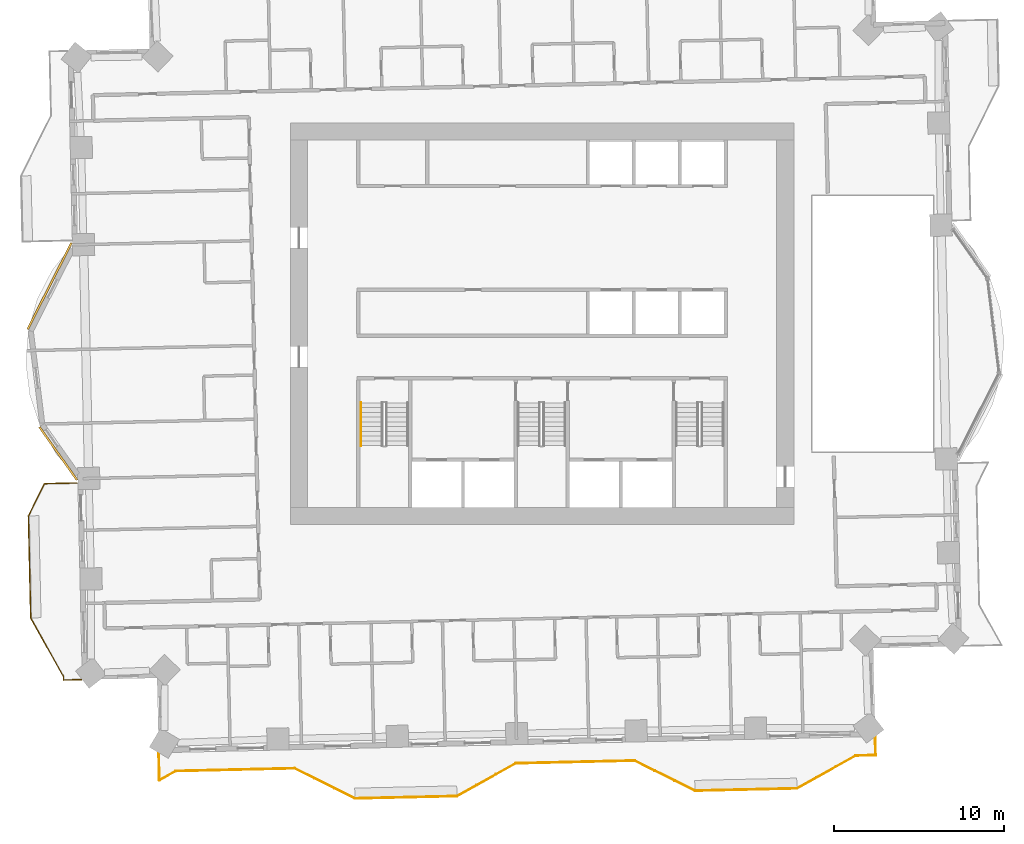
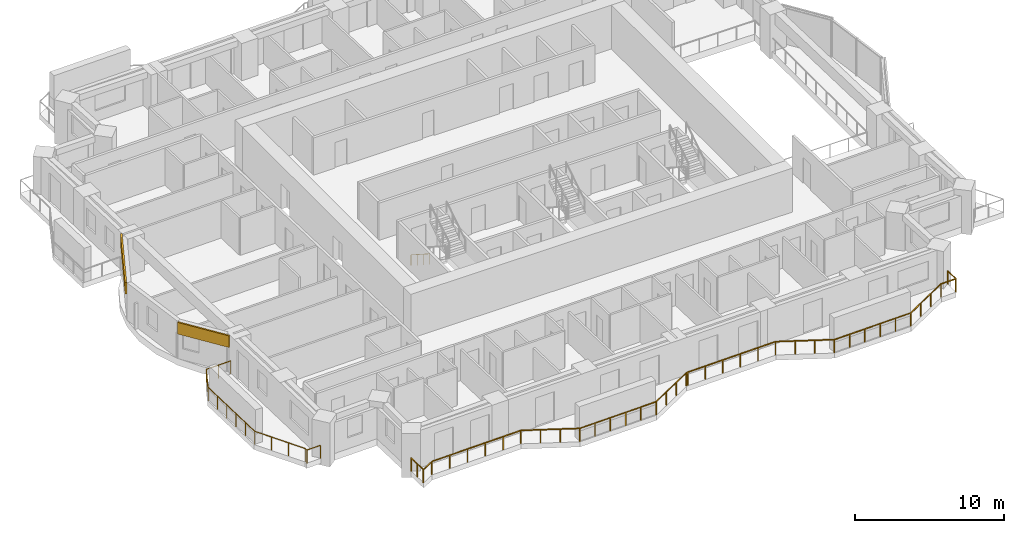
# One storey, part 13 of 16: 3 railings, 2 coverings.
"""IFC4 building model written with IfcOpenShell, lengths in metres."""

from ifc_helpers import new_model, si_unit, direction, frame, frame_2d, origin, origin_2d, place, context, subcontext, project, spatial, rectangle, circle, extrude, material, layer, layer_set, type_object, element, save


model = new_model("IFC4")

# Units and contexts
model_context = context("Model", 3, precision=1e-05, world=origin(), true_north=direction((0.0, 1.0)))
body_context = subcontext(model_context, "Body", "Model", "MODEL_VIEW")
ifc_project = project(units=[si_unit("LENGTHUNIT", "METRE"), si_unit("AREAUNIT", "SQUARE_METRE"), si_unit("VOLUMEUNIT", "CUBIC_METRE"), si_unit("PLANEANGLEUNIT", "RADIAN"), si_unit("MASSUNIT", "GRAM", prefix="KILO")], contexts=[model_context])

# Site, building, storey
site_placement = place(None, origin())
site = spatial("IfcSite", under=ifc_project, at=site_placement, CompositionType="ELEMENT")
building_placement = place(site_placement, origin())
building = spatial("IfcBuilding", under=site, at=building_placement, Name="Mangrove Gate Tower", CompositionType="ELEMENT")
storey_placement = place(building_placement, frame((0.0, 0.0, 137.300048828125)))
storey = spatial("IfcBuildingStorey", under=building, at=storey_placement, Name="L34", CompositionType="ELEMENT", Elevation=137.300048828125)

# Railings
ifc_material_1 = material(Name="Stainless steel grade 316 with laminated glass infill", Category="steel")
railing_type_1 = type_object("IfcRailingType", Name="Balcony guard 1100", PredefinedType="GUARDRAIL", material=ifc_material_1)
railing_1_placement = place(storey_placement, frame((-27.343994140625, -9.361083984375, 0.0)))
element("IfcRailing", 1, at=railing_1_placement, inside=storey, type_object=railing_type_1, Name="GUARD L34 W2", PredefinedType="GUARDRAIL", context=body_context, shape_type="SweptSolid", body=[
    extrude(rectangle(XDim=0.048095703125, YDim=0.048095703125, at=origin_2d()), frame((0.0, 0.0, 1.076171875), z_axis=(-0.999737613728, -0.02290641172, 0.0), x_axis=(0.02290641172, -0.999737613728, 0.0)), (0.0, 0.0, 1.0), 1.91845703125),
    extrude(rectangle(XDim=0.048095703125, YDim=0.048095703125, at=origin_2d()), frame((-1.91796875, -0.0439453125, 1.076171875), z_axis=(-0.4472135955, -0.894427191, 0.0), x_axis=(0.894427191, -0.4472135955, 0.0)), (0.0, 0.0, 1.0), 2.119873046875),
    extrude(rectangle(XDim=0.048095703125, YDim=0.048095703125, at=origin_2d()), frame((-2.865966796875, -1.93994140625, 1.076171875), z_axis=(0.022662255828, -0.999743178102, 0.0), x_axis=(0.999743178102, 0.022662255828, 0.0)), (0.0, 0.0, 1.0), 6.00048828125),
    extrude(rectangle(XDim=0.048095703125, YDim=0.048095703125, at=origin_2d()), frame((-2.72998046875, -7.93896484375, 1.076171875), z_axis=(0.48726008209, -0.87325689943, 0.0), x_axis=(0.87325689943, 0.48726008209, 0.0)), (0.0, 0.0, 1.0), 3.958740234375),
    extrude(rectangle(XDim=0.048095703125, YDim=0.048095703125, at=origin_2d()), frame((-0.801025390625, -11.39599609375, 1.076171875), z_axis=(0.019532292583, -0.999809226576, 0.0), x_axis=(0.999809226576, 0.019532292583, 0.0)), (0.0, 0.0, 1.0), 0.199951171875),
    extrude(rectangle(XDim=0.048095703125, YDim=0.048095703125, at=origin_2d()), frame((-0.797119140625, -11.595947265625, 1.076171875), z_axis=(0.999745389313, 0.022564497502, 0.0), x_axis=(-0.022564497502, 0.999745389313, 0.0)), (0.0, 0.0, 1.0), 1.060302734375),
    extrude(rectangle(XDim=0.0419921875, YDim=0.0419921875, at=origin_2d()), origin(), (0.0, 0.0, 1.0), 1.052001953125),
    extrude(rectangle(XDim=0.0419921875, YDim=0.0419921875, at=origin_2d()), frame((-0.958984375, -0.02197265625, 0.0)), (0.0, 0.0, 1.0), 1.052001953125),
    extrude(rectangle(XDim=0.0419921875, YDim=0.0419921875, at=origin_2d()), frame((-1.91796875, -0.0439453125, 0.0)), (0.0, 0.0, 1.0), 1.052001953125),
    extrude(rectangle(XDim=0.0419921875, YDim=0.0419921875, at=origin_2d()), frame((-2.39208984375, -0.991943359375, 0.0)), (0.0, 0.0, 1.0), 1.052001953125),
    extrude(rectangle(XDim=0.0419921875, YDim=0.0419921875, at=origin_2d()), frame((-2.865966796875, -1.93994140625, 0.0)), (0.0, 0.0, 1.0), 1.052001953125),
    extrude(rectangle(XDim=0.0419921875, YDim=0.0419921875, at=origin_2d()), frame((-2.8388671875, -3.1396484375, 0.0)), (0.0, 0.0, 1.0), 1.052001953125),
    extrude(rectangle(XDim=0.0419921875, YDim=0.0419921875, at=origin_2d()), frame((-2.8115234375, -4.339599609375, 0.0)), (0.0, 0.0, 1.0), 1.052001953125),
    extrude(rectangle(XDim=0.0419921875, YDim=0.0419921875, at=origin_2d()), frame((-2.784423828125, -5.539306640625, 0.0)), (0.0, 0.0, 1.0), 1.052001953125),
    extrude(rectangle(XDim=0.0419921875, YDim=0.0419921875, at=origin_2d()), frame((-2.757080078125, -6.7392578125, 0.0)), (0.0, 0.0, 1.0), 1.052001953125),
    extrude(rectangle(XDim=0.0419921875, YDim=0.0419921875, at=origin_2d()), frame((-2.72998046875, -7.93896484375, 0.0)), (0.0, 0.0, 1.0), 1.052001953125),
    extrude(rectangle(XDim=0.0419921875, YDim=0.0419921875, at=origin_2d()), frame((-2.0869140625, -9.09130859375, 0.0)), (0.0, 0.0, 1.0), 1.052001953125),
    extrude(rectangle(XDim=0.0419921875, YDim=0.0419921875, at=origin_2d()), frame((-1.444091796875, -10.24365234375, 0.0)), (0.0, 0.0, 1.0), 1.052001953125),
    extrude(rectangle(XDim=0.0419921875, YDim=0.0419921875, at=origin_2d()), frame((-0.801025390625, -11.39599609375, 0.0)), (0.0, 0.0, 1.0), 1.052001953125),
    extrude(rectangle(XDim=0.0419921875, YDim=0.0419921875, at=origin_2d()), frame((-0.797119140625, -11.595947265625, 0.0)), (0.0, 0.0, 1.0), 1.052001953125),
    extrude(rectangle(XDim=0.0419921875, YDim=0.0419921875, at=origin_2d()), frame((0.262939453125, -11.572021484375, 0.0)), (0.0, 0.0, 1.0), 1.052001953125),
])
railing_2_placement = place(storey_placement, frame((-22.541015625, -25.27099609375, 0.0)))
element("IfcRailing", 2, at=railing_2_placement, inside=storey, type_object=railing_type_1, Name="GUARD L34 S1", PredefinedType="GUARDRAIL", context=body_context, shape_type="SweptSolid", body=[
    extrude(rectangle(XDim=0.048095703125, YDim=0.048095703125, at=origin_2d()), frame((0.0, 0.0, 1.076171875), z_axis=(0.022175404941, -0.999754095473, 0.0), x_axis=(0.999754095473, 0.022175404941, 0.0)), (0.0, 0.0, 1.0), 1.574462890625),
    extrude(rectangle(XDim=0.048095703125, YDim=0.048095703125, at=origin_2d()), frame((0.034912109375, -1.573974609375, 1.076171875), z_axis=(0.873213082908, 0.487338600809, 0.0), x_axis=(-0.487338600809, 0.873213082908, 0.0)), (0.0, 0.0, 1.0), 1.099609375),
    extrude(rectangle(XDim=0.048095703125, YDim=0.048095703125, at=origin_2d()), frame((0.9951171875, -1.0380859375, 1.076171875), z_axis=(0.999741385179, 0.022741212823, 0.0), x_axis=(-0.022741212823, 0.999741385179, 0.0)), (0.0, 0.0, 1.0), 6.99951171875),
    extrude(rectangle(XDim=0.048095703125, YDim=0.048095703125, at=origin_2d()), frame((7.992919921875, -0.87890625, 1.076171875), z_axis=(0.894476522376, -0.447114919141, 0.0), x_axis=(0.447114919141, 0.894476522376, 0.0)), (0.0, 0.0, 1.0), 3.958740234375),
    extrude(rectangle(XDim=0.048095703125, YDim=0.048095703125, at=origin_2d()), frame((11.533935546875, -2.64892578125, 1.076171875), z_axis=(0.999743178102, 0.022662255828, 0.0), x_axis=(-0.022662255828, 0.999743178102, 0.0)), (0.0, 0.0, 1.0), 6.00048828125),
    extrude(rectangle(XDim=0.048095703125, YDim=0.048095703125, at=origin_2d()), frame((17.532958984375, -2.512939453125, 1.076171875), z_axis=(0.87325689943, 0.48726008209, 0.0), x_axis=(-0.48726008209, 0.87325689943, 0.0)), (0.0, 0.0, 1.0), 3.958740234375),
    extrude(rectangle(XDim=0.048095703125, YDim=0.048095703125, at=origin_2d()), frame((20.989990234375, -0.583984375, 1.076171875), z_axis=(0.999809691461, 0.019508481785, 0.0), x_axis=(-0.019508481785, 0.999809691461, 0.0)), (0.0, 0.0, 1.0), 0.10009765625),
    extrude(rectangle(XDim=0.048095703125, YDim=0.048095703125, at=origin_2d()), frame((21.090087890625, -0.58203125, 1.076171875), z_axis=(0.999741140915, 0.022751948524, 0.0), x_axis=(-0.022751948524, 0.999741140915, 0.0)), (0.0, 0.0, 1.0), 6.899658203125),
    extrude(rectangle(XDim=0.048095703125, YDim=0.048095703125, at=origin_2d()), frame((27.988037109375, -0.425048828125, 1.076171875), z_axis=(0.894476522376, -0.447114919141, 0.0), x_axis=(0.447114919141, 0.894476522376, 0.0)), (0.0, 0.0, 1.0), 3.958740234375),
    extrude(rectangle(XDim=0.048095703125, YDim=0.048095703125, at=origin_2d()), frame((31.529052734375, -2.195068359375, 1.076171875), z_axis=(0.999743178102, 0.022662255828, 0.0), x_axis=(-0.022662255828, 0.999743178102, 0.0)), (0.0, 0.0, 1.0), 6.00048828125),
    extrude(rectangle(XDim=0.048095703125, YDim=0.048095703125, at=origin_2d()), frame((37.528076171875, -2.05908203125, 1.076171875), z_axis=(0.873230657876, 0.487307108654, 0.0), x_axis=(-0.487307108654, 0.873230657876, 0.0)), (0.0, 0.0, 1.0), 3.958984375),
    extrude(rectangle(XDim=0.048095703125, YDim=0.048095703125, at=origin_2d()), frame((40.985107421875, -0.1298828125, 1.076171875), z_axis=(0.999756252343, 0.022077950573, 0.0), x_axis=(-0.022077950573, 0.999756252343, 0.0)), (0.0, 0.0, 1.0), 1.172119140625),
    extrude(rectangle(XDim=0.048095703125, YDim=0.048095703125, at=origin_2d()), frame((42.156982421875, -0.10400390625, 1.076171875), z_axis=(-0.022564497502, 0.999745389313, 0.0), x_axis=(-0.999745389313, -0.022564497502, 0.0)), (0.0, 0.0, 1.0), 1.060302734375),
    extrude(rectangle(XDim=0.0419921875, YDim=0.0419921875, at=origin_2d()), origin(), (0.0, 0.0, 1.0), 1.052001953125),
    extrude(rectangle(XDim=0.0419921875, YDim=0.0419921875, at=origin_2d()), frame((0.017578125, -0.787109375, 0.0)), (0.0, 0.0, 1.0), 1.052001953125),
    extrude(rectangle(XDim=0.0419921875, YDim=0.0419921875, at=origin_2d()), frame((0.034912109375, -1.573974609375, 0.0)), (0.0, 0.0, 1.0), 1.052001953125),
    extrude(rectangle(XDim=0.0419921875, YDim=0.0419921875, at=origin_2d()), frame((0.9951171875, -1.0380859375, 0.0)), (0.0, 0.0, 1.0), 1.052001953125),
    extrude(rectangle(XDim=0.0419921875, YDim=0.0419921875, at=origin_2d()), frame((2.394775390625, -1.00634765625, 0.0)), (0.0, 0.0, 1.0), 1.052001953125),
    extrude(rectangle(XDim=0.0419921875, YDim=0.0419921875, at=origin_2d()), frame((3.794189453125, -0.974365234375, 0.0)), (0.0, 0.0, 1.0), 1.052001953125),
    extrude(rectangle(XDim=0.0419921875, YDim=0.0419921875, at=origin_2d()), frame((5.19384765625, -0.942626953125, 0.0)), (0.0, 0.0, 1.0), 1.052001953125),
    extrude(rectangle(XDim=0.0419921875, YDim=0.0419921875, at=origin_2d()), frame((6.59326171875, -0.91064453125, 0.0)), (0.0, 0.0, 1.0), 1.052001953125),
    extrude(rectangle(XDim=0.0419921875, YDim=0.0419921875, at=origin_2d()), frame((7.992919921875, -0.87890625, 0.0)), (0.0, 0.0, 1.0), 1.052001953125),
    extrude(rectangle(XDim=0.0419921875, YDim=0.0419921875, at=origin_2d()), frame((9.17333984375, -1.468994140625, 0.0)), (0.0, 0.0, 1.0), 1.052001953125),
    extrude(rectangle(XDim=0.0419921875, YDim=0.0419921875, at=origin_2d()), frame((10.353515625, -2.058837890625, 0.0)), (0.0, 0.0, 1.0), 1.052001953125),
    extrude(rectangle(XDim=0.0419921875, YDim=0.0419921875, at=origin_2d()), frame((11.533935546875, -2.64892578125, 0.0)), (0.0, 0.0, 1.0), 1.052001953125),
    extrude(rectangle(XDim=0.0419921875, YDim=0.0419921875, at=origin_2d()), frame((12.733642578125, -2.621826171875, 0.0)), (0.0, 0.0, 1.0), 1.052001953125),
    extrude(rectangle(XDim=0.0419921875, YDim=0.0419921875, at=origin_2d()), frame((13.93359375, -2.594482421875, 0.0)), (0.0, 0.0, 1.0), 1.052001953125),
    extrude(rectangle(XDim=0.0419921875, YDim=0.0419921875, at=origin_2d()), frame((15.13330078125, -2.5673828125, 0.0)), (0.0, 0.0, 1.0), 1.052001953125),
    extrude(rectangle(XDim=0.0419921875, YDim=0.0419921875, at=origin_2d()), frame((16.333251953125, -2.5400390625, 0.0)), (0.0, 0.0, 1.0), 1.052001953125),
    extrude(rectangle(XDim=0.0419921875, YDim=0.0419921875, at=origin_2d()), frame((17.532958984375, -2.512939453125, 0.0)), (0.0, 0.0, 1.0), 1.052001953125),
    extrude(rectangle(XDim=0.0419921875, YDim=0.0419921875, at=origin_2d()), frame((18.685302734375, -1.869873046875, 0.0)), (0.0, 0.0, 1.0), 1.052001953125),
    extrude(rectangle(XDim=0.0419921875, YDim=0.0419921875, at=origin_2d()), frame((19.837646484375, -1.22705078125, 0.0)), (0.0, 0.0, 1.0), 1.052001953125),
    extrude(rectangle(XDim=0.0419921875, YDim=0.0419921875, at=origin_2d()), frame((20.989990234375, -0.583984375, 0.0)), (0.0, 0.0, 1.0), 1.052001953125),
    extrude(rectangle(XDim=0.0419921875, YDim=0.0419921875, at=origin_2d()), frame((21.090087890625, -0.58203125, 0.0)), (0.0, 0.0, 1.0), 1.052001953125),
    extrude(rectangle(XDim=0.0419921875, YDim=0.0419921875, at=origin_2d()), frame((22.4697265625, -0.550537109375, 0.0)), (0.0, 0.0, 1.0), 1.052001953125),
    extrude(rectangle(XDim=0.0419921875, YDim=0.0419921875, at=origin_2d()), frame((23.849365234375, -0.519287109375, 0.0)), (0.0, 0.0, 1.0), 1.052001953125),
    extrude(rectangle(XDim=0.0419921875, YDim=0.0419921875, at=origin_2d()), frame((25.228759765625, -0.48779296875, 0.0)), (0.0, 0.0, 1.0), 1.052001953125),
    extrude(rectangle(XDim=0.0419921875, YDim=0.0419921875, at=origin_2d()), frame((26.6083984375, -0.45654296875, 0.0)), (0.0, 0.0, 1.0), 1.052001953125),
    extrude(rectangle(XDim=0.0419921875, YDim=0.0419921875, at=origin_2d()), frame((27.988037109375, -0.425048828125, 0.0)), (0.0, 0.0, 1.0), 1.052001953125),
    extrude(rectangle(XDim=0.0419921875, YDim=0.0419921875, at=origin_2d()), frame((29.16845703125, -1.01513671875, 0.0)), (0.0, 0.0, 1.0), 1.052001953125),
    extrude(rectangle(XDim=0.0419921875, YDim=0.0419921875, at=origin_2d()), frame((30.3486328125, -1.60498046875, 0.0)), (0.0, 0.0, 1.0), 1.052001953125),
    extrude(rectangle(XDim=0.0419921875, YDim=0.0419921875, at=origin_2d()), frame((31.529052734375, -2.195068359375, 0.0)), (0.0, 0.0, 1.0), 1.052001953125),
    extrude(rectangle(XDim=0.0419921875, YDim=0.0419921875, at=origin_2d()), frame((32.728759765625, -2.16796875, 0.0)), (0.0, 0.0, 1.0), 1.052001953125),
    extrude(rectangle(XDim=0.0419921875, YDim=0.0419921875, at=origin_2d()), frame((33.9287109375, -2.140625, 0.0)), (0.0, 0.0, 1.0), 1.052001953125),
    extrude(rectangle(XDim=0.0419921875, YDim=0.0419921875, at=origin_2d()), frame((35.12841796875, -2.113525390625, 0.0)), (0.0, 0.0, 1.0), 1.052001953125),
    extrude(rectangle(XDim=0.0419921875, YDim=0.0419921875, at=origin_2d()), frame((36.328369140625, -2.086181640625, 0.0)), (0.0, 0.0, 1.0), 1.052001953125),
    extrude(rectangle(XDim=0.0419921875, YDim=0.0419921875, at=origin_2d()), frame((37.528076171875, -2.05908203125, 0.0)), (0.0, 0.0, 1.0), 1.052001953125),
    extrude(rectangle(XDim=0.0419921875, YDim=0.0419921875, at=origin_2d()), frame((38.680419921875, -1.416015625, 0.0)), (0.0, 0.0, 1.0), 1.052001953125),
    extrude(rectangle(XDim=0.0419921875, YDim=0.0419921875, at=origin_2d()), frame((39.832763671875, -0.77294921875, 0.0)), (0.0, 0.0, 1.0), 1.052001953125),
    extrude(rectangle(XDim=0.0419921875, YDim=0.0419921875, at=origin_2d()), frame((40.985107421875, -0.1298828125, 0.0)), (0.0, 0.0, 1.0), 1.052001953125),
    extrude(rectangle(XDim=0.0419921875, YDim=0.0419921875, at=origin_2d()), frame((42.156982421875, -0.10400390625, 0.0)), (0.0, 0.0, 1.0), 1.052001953125),
    extrude(rectangle(XDim=0.0419921875, YDim=0.0419921875, at=origin_2d()), frame((42.133056640625, 0.9560546875, 0.0)), (0.0, 0.0, 1.0), 1.052001953125),
])
ifc_material_2 = material(Name="Stainless steel 316", Category="steel")
railing_type_2 = type_object("IfcRailingType", Name="Core stair handrail 900", PredefinedType="HANDRAIL", material=ifc_material_2)
railing_3_placement = place(storey_placement, frame((-10.64990234375, -4.64990234375, 0.179931640625)))
element("IfcRailing", 3, at=railing_3_placement, inside=storey, type_object=railing_type_2, Name="L34 ST1 stair handrail 1", PredefinedType="HANDRAIL", context=body_context, shape_type="SweptSolid", body=[
    extrude(circle(Radius=0.02392578125, at=origin_2d()), frame((0.0, 0.0, 0.8759765625), z_axis=(0.0, -0.841162588446, 0.540782303519), x_axis=(1.0, 0.0, 0.0)), (0.0, 0.0, 1.0), 2.995849609375),
    extrude(circle(Radius=0.02099609375, at=origin_2d()), origin(), (0.0, 0.0, 1.0), 0.851806640625),
    extrude(circle(Radius=0.02099609375, at=origin_2d()), frame((0.0, -0.840087890625, 0.5400390625)), (0.0, 0.0, 1.0), 0.851806640625),
    extrude(circle(Radius=0.02099609375, at=origin_2d()), frame((0.0, -1.679931640625, 1.080078125)), (0.0, 0.0, 1.0), 0.851806640625),
    extrude(circle(Radius=0.02099609375, at=origin_2d()), frame((0.0, -2.52001953125, 1.6201171875)), (0.0, 0.0, 1.0), 0.851806640625),
])

# Coverings
ifc_material_3 = material(Name="Limestone", Category="masonry")
ifc_layer_1 = layer(ifc_material_3, 0.0400390625, Name="Limestone cladding")
ifc_material_4 = material(Name="Stainless steel anchors and cavity", Category="steel")
ifc_layer_2 = layer(ifc_material_4, 0.080078125, Name="Fixing cavity")
ifc_layer_set = layer_set([ifc_layer_1, ifc_layer_2], Name="Joint fascia cladding 120")
covering_type = type_object("IfcCoveringType", Name="Joint fascia cladding 120", PredefinedType="CLADDING", material=ifc_layer_set)
covering_1_placement = place(storey_placement, frame((-27.67431640625, 4.759521484375, 2.099853515625), z_axis=(0.0, 0.0, 1.0), x_axis=(-0.452615399326, -0.89170583731, 0.0)))
element("IfcCovering", 4, at=covering_1_placement, inside=storey, type_object=covering_type, Name="STONE FASCIA L34 W9.L1", PredefinedType="CLADDING", context=body_context, shape_type="SweptSolid", body=[
    extrude(rectangle(XDim=5.7041015625, YDim=0.1201171875, at=frame_2d((2.85205078125, 0.0))), origin(), (0.0, 0.0, 1.0), 0.9501953125),
])
covering_2_placement = place(storey_placement, frame((-29.55908203125, -6.074951171875, 2.099853515625), z_axis=(0.0, 0.0, 1.0), x_axis=(0.578168098379, -0.815917673553, 0.0)))
element("IfcCovering", 5, at=covering_2_placement, inside=storey, type_object=covering_type, Name="STONE FASCIA L34 W9.L2", PredefinedType="CLADDING", context=body_context, shape_type="SweptSolid", body=[
    extrude(rectangle(XDim=3.819091796875, YDim=0.1201171875, at=frame_2d((1.90966796875, 0.0))), origin(), (0.0, 0.0, 1.0), 0.9501953125),
])

save(model, "model.ifc")
